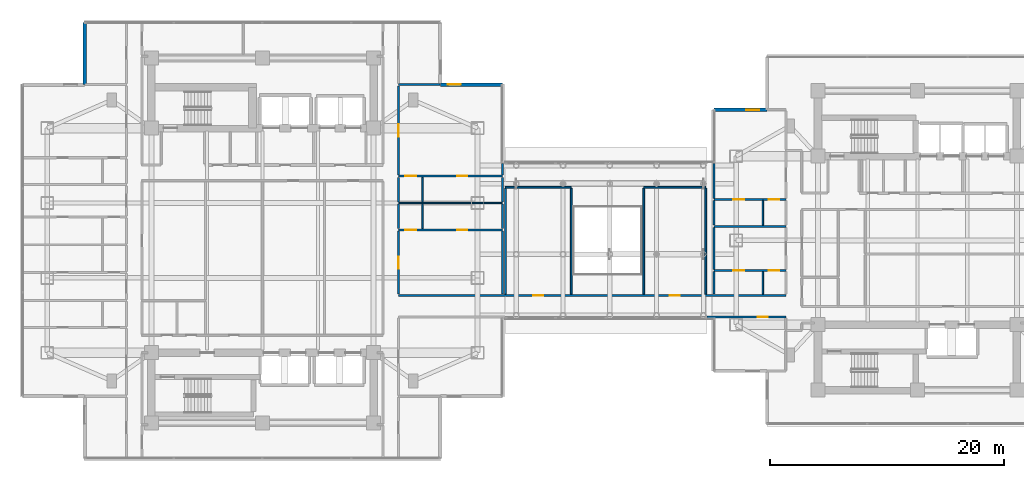
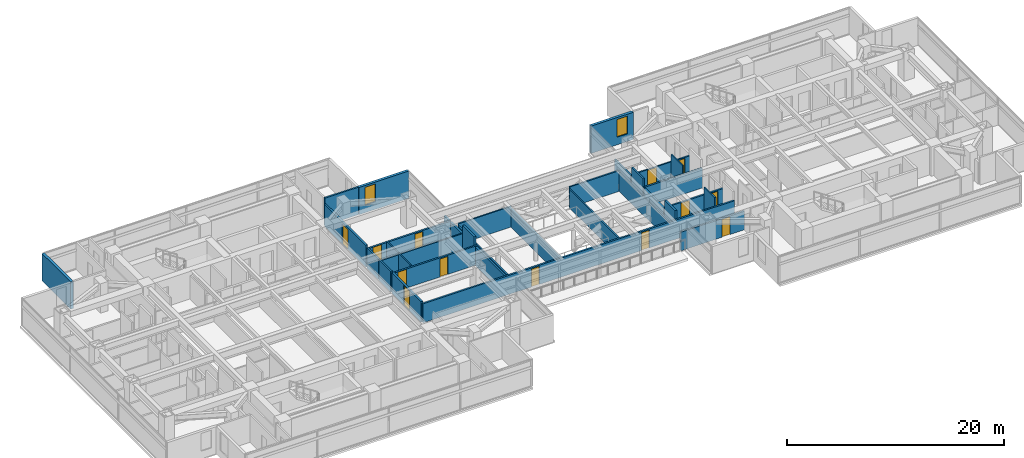
# One storey, part 18 of 28: 34 walls, 13 doors, 2 windows, 15 openings.
"""IFC4 building model written with IfcOpenShell, lengths in metres."""

from ifc_helpers import new_model, si_unit, direction, frame, frame_2d, origin, place, context, subcontext, project, spatial, rectangle, extrude, material, layer, layer_set, type_object, element, fill, save


model = new_model("IFC4")

# Units and contexts
model_context = context("Model", 3, precision=1e-05, world=origin(), true_north=direction((0.0, 1.0)))
body_context = subcontext(model_context, "Body", "Model", "MODEL_VIEW")
ifc_project = project(units=[si_unit("LENGTHUNIT", "METRE"), si_unit("AREAUNIT", "SQUARE_METRE"), si_unit("VOLUMEUNIT", "CUBIC_METRE"), si_unit("PLANEANGLEUNIT", "RADIAN"), si_unit("MASSUNIT", "GRAM", prefix="KILO")], contexts=[model_context])

# Site, building, storey
site_placement = place(None, origin())
site = spatial("IfcSite", under=ifc_project, at=site_placement, CompositionType="ELEMENT")
building_placement = place(site_placement, origin())
building = spatial("IfcBuilding", under=site, at=building_placement, Name="Mirazonda Arch Towers", CompositionType="ELEMENT")
storey_placement = place(building_placement, frame((0.0, 0.0, 91.699951171875)))
storey = spatial("IfcBuildingStorey", under=building, at=storey_placement, Name="L25", CompositionType="ELEMENT", Elevation=91.699951171875)

# Wall
ifc_material_1 = material(Name="Precast Concrete C40/50", Category="concrete")
ifc_layer_1 = layer(ifc_material_1, 0.280029296875, Name="WALL-EXT-WALL-280")
ifc_layer_set_1 = layer_set([ifc_layer_1], Name="Precast Concrete C40/50")
wall_type_1 = type_object("IfcWallType", Name="WALL-EXT-WALL-280", PredefinedType="SOLIDWALL", material=ifc_layer_set_1)
wall_1_placement = place(storey_placement, frame((5.294921875, 46.6279296875, 0.0), z_axis=(0.0, 0.0, 1.0), x_axis=(0.0, -1.0, 0.0)))
element("IfcWall", 1, at=wall_1_placement, inside=storey, type_object=wall_type_1, Name="L25 T1 Corner Notch Return Wall WL-L25-T1-CNW2", PredefinedType="SOLIDWALL", context=body_context, shape_type="SweptSolid", body=[
    extrude(rectangle(XDim=5.304931640625, YDim=0.280029296875, at=frame_2d((2.65234375, 0.0))), origin(), (0.0, 0.0, 1.0), 3.06005859375),
])

# Wall, opening, window
wall_2_placement = place(storey_placement, frame((41.010009765625, 41.322998046875, 0.0), z_axis=(0.0, 0.0, 1.0), x_axis=(-1.0, 0.0, 0.0)))
wall_2 = element("IfcWall", 2, at=wall_2_placement, inside=storey, type_object=wall_type_1, Name="L25 T1 Corner Notch Return Wall WL-L25-T1-CNE2", PredefinedType="SOLIDWALL", context=body_context, shape_type="SweptSolid", body=[
    extrude(rectangle(XDim=5.304931640625, YDim=0.280029296875, at=frame_2d((2.65234375, 0.0))), origin(), (0.0, 0.0, 1.0), 3.06005859375),
])
opening_1_placement = place(wall_2_placement, frame((3.554931640625, 0.0, 0.85009765625)))
opening_1 = element("IfcOpeningElement", 3, at=opening_1_placement, cuts=wall_2, Name="Opening WN-108", PredefinedType="OPENING", context=body_context, shape_type="SweptSolid", body=[
    extrude(rectangle(XDim=1.10009765625, YDim=2.0, at=frame_2d((0.550048828125, 1.0))), frame((0.0, 0.14990234375, 0.0), z_axis=(0.0, -1.0, 0.0), x_axis=(1.0, 0.0, 0.0)), (0.0, 0.0, 1.0), 0.300048828125),
])
ifc_material_2 = material(Name="Insulated Low-E Solar Glass", Category="glass")
window_type = type_object("IfcWindowType", Name="WIN-NOTCH-1100x2000", PartitioningType="SINGLE_PANEL", PredefinedType="WINDOW", material=ifc_material_2)
window_1_placement = place(opening_1_placement, origin())
window_1 = element("IfcWindow", 4, at=window_1_placement, inside=storey, type_object=window_type, Name="L25 Punched Facade Window WN-L25-T1-CNE2", OverallHeight=2.0, OverallWidth=1.10009765625, PartitioningType="SINGLE_PANEL", PredefinedType="WINDOW", context=body_context, shape_type="SweptSolid", body=[
    extrude(rectangle(XDim=1.10009765625, YDim=2.0, at=frame_2d((0.550048828125, 1.0))), frame((0.0, 0.030029296875, 0.0), z_axis=(0.0, -1.0, 0.0), x_axis=(1.0, 0.0, 0.0)), (0.0, 0.0, 1.0), 0.06005859375),
])
fill(opening_1, window_1)

wall_3_placement = place(storey_placement, frame((63.6357421875, 39.16455078125, 0.0), z_axis=(0.0, 0.0, 1.0), x_axis=(-1.0, 0.0, 0.0)))
wall_3 = element("IfcWall", 5, at=wall_3_placement, inside=storey, type_object=wall_type_1, Name="L25 T2 Corner Notch Return Wall WL-L25-T2-CNW1", PredefinedType="SOLIDWALL", context=body_context, shape_type="SweptSolid", body=[
    extrude(rectangle(XDim=4.516357421875, YDim=0.280029296875, at=frame_2d((2.25830078125, 0.0))), origin(), (0.0, 0.0, 1.0), 3.06005859375),
])
opening_2_placement = place(wall_3_placement, frame((0.64990234375, 0.0, 0.85009765625)))
opening_2 = element("IfcOpeningElement", 6, at=opening_2_placement, cuts=wall_3, Name="Opening WN-108", PredefinedType="OPENING", context=body_context, shape_type="SweptSolid", body=[
    extrude(rectangle(XDim=1.10009765625, YDim=2.0, at=frame_2d((0.550048828125, 1.0))), frame((0.0, 0.14990234375, 0.0), z_axis=(0.0, -1.0, 0.0), x_axis=(1.0, 0.0, 0.0)), (0.0, 0.0, 1.0), 0.300048828125),
])
window_2_placement = place(opening_2_placement, origin())
window_2 = element("IfcWindow", 7, at=window_2_placement, inside=storey, type_object=window_type, Name="L25 Punched Facade Window WN-L25-T2-CNW1", OverallHeight=2.0, OverallWidth=1.10009765625, PartitioningType="SINGLE_PANEL", PredefinedType="WINDOW", context=body_context, shape_type="SweptSolid", body=[
    extrude(rectangle(XDim=1.10009765625, YDim=2.0, at=frame_2d((0.550048828125, 1.0))), frame((0.0, 0.030029296875, 0.0), z_axis=(0.0, -1.0, 0.0), x_axis=(1.0, 0.0, 0.0)), (0.0, 0.0, 1.0), 0.06005859375),
])
fill(opening_2, window_2)

# Wall, openings, doors
ifc_material_3 = material(Name="Fire-Rated Gypsum Stud Partition")
ifc_layer_2 = layer(ifc_material_3, 0.14990234375, Name="WALL-PART-CORR-150")
ifc_layer_set_2 = layer_set([ifc_layer_2], Name="Fire-Rated Gypsum Stud Partition")
wall_type_2 = type_object("IfcWallType", Name="WALL-PART-CORR-150", PredefinedType="PARTITIONING", material=ifc_layer_set_2)
wall_4_placement = place(storey_placement, frame((59.1201171875, 31.5, 0.0), z_axis=(0.0, 0.0, 1.0), x_axis=(1.0, 0.0, 0.0)))
wall_4 = element("IfcWall", 8, at=wall_4_placement, inside=storey, type_object=wall_type_2, Name="L25 Interior Partition 040", PredefinedType="PARTITIONING", context=body_context, shape_type="SweptSolid", body=[
    extrude(rectangle(XDim=6.1298828125, YDim=0.14990234375, at=frame_2d((3.06494140625, 0.0))), origin(), (0.0, 0.0, 1.0), 2.216064453125),
])
opening_3_placement = place(wall_4_placement, frame((1.62890625, 0.0, 0.0)))
opening_3 = element("IfcOpeningElement", 9, at=opening_3_placement, cuts=wall_4, Name="Opening DR-104", PredefinedType="OPENING", context=body_context, shape_type="SweptSolid", body=[
    extrude(rectangle(XDim=0.949951171875, YDim=2.14990234375, at=frame_2d((0.47509765625, 1.074951171875))), frame((0.0, 0.0849609375, 0.0), z_axis=(0.0, -1.0, 0.0), x_axis=(1.0, 0.0, 0.0)), (0.0, 0.0, 1.0), 0.169921875),
])
opening_4_placement = place(wall_4_placement, frame((4.678955078125, 0.0, 0.0)))
opening_4 = element("IfcOpeningElement", 10, at=opening_4_placement, cuts=wall_4, Name="Opening DR-120", PredefinedType="OPENING", context=body_context, shape_type="SweptSolid", body=[
    extrude(rectangle(XDim=0.89990234375, YDim=2.10009765625, at=frame_2d((0.449951171875, 1.050048828125))), frame((0.0, 0.0849609375, 0.0), z_axis=(0.0, -1.0, 0.0), x_axis=(1.0, 0.0, 0.0)), (0.0, 0.0, 1.0), 0.169921875),
])
ifc_material_4 = material(Name="Architectural Brushed Steel S355", Category="steel")
door_type_1 = type_object("IfcDoorType", Name="DOOR-ROOM-950", OperationType="NOTDEFINED", PredefinedType="DOOR", material=ifc_material_4)
door_1_placement = place(opening_3_placement, origin())
door_1 = element("IfcDoor", 11, at=door_1_placement, inside=storey, type_object=door_type_1, Name="L25 Guestroom Study 2 Door", OperationType="SINGLE_SWING_LEFT", OverallHeight=2.14990234375, OverallWidth=0.949951171875, PredefinedType="DOOR", context=body_context, shape_type="SweptSolid", body=[
    extrude(rectangle(XDim=0.949951171875, YDim=2.14990234375, at=frame_2d((0.47509765625, 1.074951171875))), frame((0.0, 0.02490234375, 0.0), z_axis=(0.0, -1.0, 0.0), x_axis=(1.0, 0.0, 0.0)), (0.0, 0.0, 1.0), 0.050048828125),
])
fill(opening_3, door_1)
door_type_2 = type_object("IfcDoorType", Name="DOOR-WC-900", OperationType="NOTDEFINED", PredefinedType="DOOR", material=ifc_material_4)
door_2_placement = place(opening_4_placement, origin())
door_2 = element("IfcDoor", 12, at=door_2_placement, inside=storey, type_object=door_type_2, Name="L25 En-Suite Bathroom 2 Door", OperationType="SINGLE_SWING_RIGHT", OverallHeight=2.10009765625, OverallWidth=0.89990234375, PredefinedType="DOOR", context=body_context, shape_type="SweptSolid", body=[
    extrude(rectangle(XDim=0.89990234375, YDim=2.10009765625, at=frame_2d((0.449951171875, 1.050048828125))), frame((0.0, 0.02490234375, 0.0), z_axis=(0.0, -1.0, 0.0), x_axis=(1.0, 0.0, 0.0)), (0.0, 0.0, 1.0), 0.050048828125),
])
fill(opening_4, door_2)

# Walls
wall_5_placement = place(storey_placement, frame((41.280029296875, 32.550048828125, 0.0), z_axis=(0.0, 0.0, 1.0), x_axis=(1.0, 0.0, 0.0)))
element("IfcWall", 13, at=wall_5_placement, inside=storey, type_object=wall_type_2, Name="L25 Interior Partition 043", PredefinedType="PARTITIONING", context=body_context, shape_type="SweptSolid", body=[
    extrude(rectangle(XDim=5.619873046875, YDim=0.14990234375, at=frame_2d((2.81005859375, 0.0))), origin(), (0.0, 0.0, 1.0), 2.316162109375),
])
wall_6_placement = place(storey_placement, frame((53.10009765625, 32.550048828125, 0.0), z_axis=(0.0, 0.0, 1.0), x_axis=(1.0, 0.0, 0.0)))
element("IfcWall", 14, at=wall_6_placement, inside=storey, type_object=wall_type_2, Name="L25 Interior Partition 044", PredefinedType="PARTITIONING", context=body_context, shape_type="SweptSolid", body=[
    extrude(rectangle(XDim=5.2998046875, YDim=0.14990234375, at=frame_2d((2.64990234375, 0.0))), origin(), (0.0, 0.0, 1.0), 2.316162109375),
])
for number, where, z_axis, x_axis, name in (
    (15, (41.280029296875, 23.39990234375, 0.0), (0.0, 0.0, 1.0), (0.0, 1.0, 0.0), "L25 Interior Partition 125"),
    (16, (46.89990234375, 23.39990234375, 0.0), (0.0, 0.0, 1.0), (0.0, 1.0, 0.0), "L25 Interior Partition 126"),
    (17, (53.10009765625, 23.39990234375, 0.0), (0.0, 0.0, 1.0), (0.0, 1.0, 0.0), "L25 Interior Partition 127"),
    (18, (58.39990234375, 23.39990234375, 0.0), (0.0, 0.0, 1.0), (0.0, 1.0, 0.0), "L25 Interior Partition 128"),
):
    element("IfcWall", number, at=place(storey_placement, frame(where, z_axis=z_axis, x_axis=x_axis)), inside=storey, type_object=wall_type_2, Name=name, PredefinedType="PARTITIONING", context=body_context, shape_type="SweptSolid", body=[
        extrude(rectangle(XDim=9.065185546875, YDim=0.14990234375, at=frame_2d((4.53271484375, 0.0))), origin(), (0.0, 0.0, 1.0), 2.0849609375),
    ])

# Wall, opening, door
ifc_material_5 = material(Name="Fire-Rated Gypsum Twin-Stud Assembly")
ifc_layer_3 = layer(ifc_material_5, 0.179931640625, Name="WALL-PART-DEMISE-180")
ifc_layer_set_3 = layer_set([ifc_layer_3], Name="Fire-Rated Gypsum Twin-Stud Assembly")
wall_type_3 = type_object("IfcWallType", Name="WALL-PART-DEMISE-180", PredefinedType="PARTITIONING", material=ifc_layer_set_3)
wall_7_placement = place(storey_placement, frame((58.49951171875, 21.449951171875, 0.0), z_axis=(0.0, 0.0, 1.0), x_axis=(1.0, 0.0, 0.0)))
wall_7 = element("IfcWall", 19, at=wall_7_placement, inside=storey, type_object=wall_type_3, Name="L25 Interior Partition 022", PredefinedType="PARTITIONING", context=body_context, shape_type="SweptSolid", body=[
    extrude(rectangle(XDim=6.75048828125, YDim=0.179931640625, at=frame_2d((3.375244140625, 0.0))), origin(), (0.0, 0.0, 1.0), 2.0849609375),
])
opening_5_placement = place(wall_7_placement, frame((4.35546875, 0.0, 0.0)))
opening_5 = element("IfcOpeningElement", 20, at=opening_5_placement, cuts=wall_7, Name="Opening DR-128", PredefinedType="OPENING", context=body_context, shape_type="SweptSolid", body=[
    extrude(rectangle(XDim=0.85009765625, YDim=2.010009765625, at=frame_2d((0.425048828125, 1.0048828125))), frame((0.0, 0.099853515625, 0.0), z_axis=(0.0, -1.0, 0.0), x_axis=(1.0, 0.0, 0.0)), (0.0, 0.0, 1.0), 0.199951171875),
])
door_type_3 = type_object("IfcDoorType", Name="DOOR-RISER-FD60-850", OperationType="NOTDEFINED", PredefinedType="DOOR", material=ifc_material_4)
door_3_placement = place(opening_5_placement, origin())
door_3 = element("IfcDoor", 21, at=door_3_placement, inside=storey, type_object=door_type_3, Name="L25 L25 South-West Sky-Bridge Club Salon Door", OperationType="SINGLE_SWING_RIGHT", OverallHeight=2.010009765625, OverallWidth=0.85009765625, PredefinedType="DOOR", context=body_context, shape_type="SweptSolid", body=[
    extrude(rectangle(XDim=0.85009765625, YDim=2.010009765625, at=frame_2d((0.425048828125, 1.0048828125))), frame((0.0, 0.02490234375, 0.0), z_axis=(0.0, -1.0, 0.0), x_axis=(1.0, 0.0, 0.0)), (0.0, 0.0, 1.0), 0.050048828125),
])
fill(opening_5, door_3)

# Wall, openings, doors
wall_8_placement = place(storey_placement, frame((32.139892578125, 23.300048828125, 0.0), z_axis=(0.0, 0.0, 1.0), x_axis=(1.0, 0.0, 0.0)))
wall_8 = element("IfcWall", 22, at=wall_8_placement, inside=storey, type_object=wall_type_3, Name="L25 Interior Partition 026", PredefinedType="PARTITIONING", context=body_context, shape_type="SweptSolid", body=[
    extrude(rectangle(XDim=33.110107421875, YDim=0.179931640625, at=frame_2d((16.55517578125, 0.0))), origin(), (0.0, 0.0, 1.0), 2.14501953125),
])
opening_6_placement = place(wall_8_placement, frame((11.52490234375, 0.0, 0.0)))
opening_6 = element("IfcOpeningElement", 23, at=opening_6_placement, cuts=wall_8, Name="Opening DR-128", PredefinedType="OPENING", context=body_context, shape_type="SweptSolid", body=[
    extrude(rectangle(XDim=0.85009765625, YDim=2.010009765625, at=frame_2d((0.425048828125, 1.0048828125))), frame((0.0, 0.099853515625, 0.0), z_axis=(0.0, -1.0, 0.0), x_axis=(1.0, 0.0, 0.0)), (0.0, 0.0, 1.0), 0.199951171875),
])
opening_7_placement = place(wall_8_placement, frame((23.18505859375, 0.0, 0.0)))
opening_7 = element("IfcOpeningElement", 24, at=opening_7_placement, cuts=wall_8, Name="Opening DR-128", PredefinedType="OPENING", context=body_context, shape_type="SweptSolid", body=[
    extrude(rectangle(XDim=0.85009765625, YDim=2.010009765625, at=frame_2d((0.425048828125, 1.0048828125))), frame((0.0, 0.099853515625, 0.0), z_axis=(0.0, -1.0, 0.0), x_axis=(1.0, 0.0, 0.0)), (0.0, 0.0, 1.0), 0.199951171875),
])
door_4_placement = place(opening_6_placement, origin())
door_4 = element("IfcDoor", 25, at=door_4_placement, inside=storey, type_object=door_type_3, Name="L25 L25 Skybridge Co-Working Gallery West Door", OperationType="SINGLE_SWING_LEFT", OverallHeight=2.010009765625, OverallWidth=0.85009765625, PredefinedType="DOOR", context=body_context, shape_type="SweptSolid", body=[
    extrude(rectangle(XDim=0.85009765625, YDim=2.010009765625, at=frame_2d((0.425048828125, 1.0048828125))), frame((0.0, 0.02490234375, 0.0), z_axis=(0.0, -1.0, 0.0), x_axis=(1.0, 0.0, 0.0)), (0.0, 0.0, 1.0), 0.050048828125),
])
fill(opening_6, door_4)
door_5_placement = place(opening_7_placement, origin())
door_5 = element("IfcDoor", 26, at=door_5_placement, inside=storey, type_object=door_type_3, Name="L25 L25 Skybridge Cultural Reading Salon East Door", OperationType="SINGLE_SWING_RIGHT", OverallHeight=2.010009765625, OverallWidth=0.85009765625, PredefinedType="DOOR", context=body_context, shape_type="SweptSolid", body=[
    extrude(rectangle(XDim=0.85009765625, YDim=2.010009765625, at=frame_2d((0.425048828125, 1.0048828125))), frame((0.0, 0.02490234375, 0.0), z_axis=(0.0, -1.0, 0.0), x_axis=(1.0, 0.0, 0.0)), (0.0, 0.0, 1.0), 0.050048828125),
])
fill(opening_7, door_5)

wall_9_placement = place(storey_placement, frame((59.1201171875, 25.424072265625, 0.0), z_axis=(0.0, 0.0, 1.0), x_axis=(1.0, 0.0, 0.0)))
wall_9 = element("IfcWall", 27, at=wall_9_placement, inside=storey, type_object=wall_type_3, Name="L25 Interior Partition 030", PredefinedType="PARTITIONING", context=body_context, shape_type="SweptSolid", body=[
    extrude(rectangle(XDim=6.1298828125, YDim=0.179931640625, at=frame_2d((3.06494140625, 0.0))), origin(), (0.0, 0.0, 1.0), 2.216064453125),
])
opening_8_placement = place(wall_9_placement, frame((1.62890625, 0.0, 0.0)))
opening_8 = element("IfcOpeningElement", 28, at=opening_8_placement, cuts=wall_9, Name="Opening DR-104", PredefinedType="OPENING", context=body_context, shape_type="SweptSolid", body=[
    extrude(rectangle(XDim=0.949951171875, YDim=2.14990234375, at=frame_2d((0.47509765625, 1.074951171875))), frame((0.0, 0.099853515625, 0.0), z_axis=(0.0, -1.0, 0.0), x_axis=(1.0, 0.0, 0.0)), (0.0, 0.0, 1.0), 0.199951171875),
])
opening_9_placement = place(wall_9_placement, frame((4.678955078125, 0.0, 0.0)))
opening_9 = element("IfcOpeningElement", 29, at=opening_9_placement, cuts=wall_9, Name="Opening DR-120", PredefinedType="OPENING", context=body_context, shape_type="SweptSolid", body=[
    extrude(rectangle(XDim=0.89990234375, YDim=2.10009765625, at=frame_2d((0.449951171875, 1.050048828125))), frame((0.0, 0.099853515625, 0.0), z_axis=(0.0, -1.0, 0.0), x_axis=(1.0, 0.0, 0.0)), (0.0, 0.0, 1.0), 0.199951171875),
])
door_6_placement = place(opening_8_placement, origin())
door_6 = element("IfcDoor", 30, at=door_6_placement, inside=storey, type_object=door_type_1, Name="L25 Guestroom Study 1 Door", OperationType="SINGLE_SWING_RIGHT", OverallHeight=2.14990234375, OverallWidth=0.949951171875, PredefinedType="DOOR", context=body_context, shape_type="SweptSolid", body=[
    extrude(rectangle(XDim=0.949951171875, YDim=2.14990234375, at=frame_2d((0.47509765625, 1.074951171875))), frame((0.0, 0.02490234375, 0.0), z_axis=(0.0, -1.0, 0.0), x_axis=(1.0, 0.0, 0.0)), (0.0, 0.0, 1.0), 0.050048828125),
])
fill(opening_8, door_6)
door_7_placement = place(opening_9_placement, origin())
door_7 = element("IfcDoor", 31, at=door_7_placement, inside=storey, type_object=door_type_2, Name="L25 En-Suite Bathroom 1 Door", OperationType="SINGLE_SWING_LEFT", OverallHeight=2.10009765625, OverallWidth=0.89990234375, PredefinedType="DOOR", context=body_context, shape_type="SweptSolid", body=[
    extrude(rectangle(XDim=0.89990234375, YDim=2.10009765625, at=frame_2d((0.449951171875, 1.050048828125))), frame((0.0, 0.02490234375, 0.0), z_axis=(0.0, -1.0, 0.0), x_axis=(1.0, 0.0, 0.0)), (0.0, 0.0, 1.0), 0.050048828125),
])
fill(opening_9, door_7)

wall_10_placement = place(storey_placement, frame((32.139892578125, 28.89990234375, 0.0), z_axis=(0.0, 0.0, 1.0), x_axis=(1.0, 0.0, 0.0)))
wall_10 = element("IfcWall", 32, at=wall_10_placement, inside=storey, type_object=wall_type_3, Name="L25 Interior Partition 034", PredefinedType="PARTITIONING", context=body_context, shape_type="SweptSolid", body=[
    extrude(rectangle(XDim=8.8701171875, YDim=0.179931640625, at=frame_2d((4.43505859375, 0.0))), origin(), (0.0, 0.0, 1.0), 2.14501953125),
])
opening_10_placement = place(wall_10_placement, frame((5.010009765625, 0.0, 0.0)))
opening_10 = element("IfcOpeningElement", 33, at=opening_10_placement, cuts=wall_10, Name="Opening DR-128", PredefinedType="OPENING", context=body_context, shape_type="SweptSolid", body=[
    extrude(rectangle(XDim=0.85009765625, YDim=2.010009765625, at=frame_2d((0.425048828125, 1.0048828125))), frame((0.0, 0.099853515625, 0.0), z_axis=(0.0, -1.0, 0.0), x_axis=(1.0, 0.0, 0.0)), (0.0, 0.0, 1.0), 0.199951171875),
])
opening_11_placement = place(wall_10_placement, frame((0.590087890625, 0.0, 0.0)))
opening_11 = element("IfcOpeningElement", 34, at=opening_11_placement, cuts=wall_10, Name="Opening DR-120", PredefinedType="OPENING", context=body_context, shape_type="SweptSolid", body=[
    extrude(rectangle(XDim=0.89990234375, YDim=2.10009765625, at=frame_2d((0.449951171875, 1.050048828125))), frame((0.0, 0.099853515625, 0.0), z_axis=(0.0, -1.0, 0.0), x_axis=(1.0, 0.0, 0.0)), (0.0, 0.0, 1.0), 0.199951171875),
])
door_8_placement = place(opening_10_placement, origin())
door_8 = element("IfcDoor", 35, at=door_8_placement, inside=storey, type_object=door_type_3, Name="L25 Suite Bedroom 1 Door", OperationType="SINGLE_SWING_LEFT", OverallHeight=2.010009765625, OverallWidth=0.85009765625, PredefinedType="DOOR", context=body_context, shape_type="SweptSolid", body=[
    extrude(rectangle(XDim=0.85009765625, YDim=2.010009765625, at=frame_2d((0.425048828125, 1.0048828125))), frame((0.0, 0.02490234375, 0.0), z_axis=(0.0, -1.0, 0.0), x_axis=(1.0, 0.0, 0.0)), (0.0, 0.0, 1.0), 0.050048828125),
])
fill(opening_10, door_8)
door_9_placement = place(opening_11_placement, origin())
door_9 = element("IfcDoor", 36, at=door_9_placement, inside=storey, type_object=door_type_2, Name="L25 Suite En-Suite Bathroom 1 Door", OperationType="SINGLE_SWING_RIGHT", OverallHeight=2.10009765625, OverallWidth=0.89990234375, PredefinedType="DOOR", context=body_context, shape_type="SweptSolid", body=[
    extrude(rectangle(XDim=0.89990234375, YDim=2.10009765625, at=frame_2d((0.449951171875, 1.050048828125))), frame((0.0, 0.02490234375, 0.0), z_axis=(0.0, -1.0, 0.0), x_axis=(1.0, 0.0, 0.0)), (0.0, 0.0, 1.0), 0.050048828125),
])
fill(opening_11, door_9)

# Wall
wall_11_placement = place(storey_placement, frame((59.1201171875, 29.199951171875, 0.0), z_axis=(0.0, 0.0, 1.0), x_axis=(1.0, 0.0, 0.0)))
element("IfcWall", 37, at=wall_11_placement, inside=storey, type_object=wall_type_3, Name="L25 Interior Partition 035", PredefinedType="PARTITIONING", context=body_context, shape_type="SweptSolid", body=[
    extrude(rectangle(XDim=6.1298828125, YDim=0.179931640625, at=frame_2d((3.06494140625, 0.0))), origin(), (0.0, 0.0, 1.0), 2.216064453125),
])

# Wall, openings, doors
wall_12_placement = place(storey_placement, frame((32.139892578125, 33.5, 0.0), z_axis=(0.0, 0.0, 1.0), x_axis=(1.0, 0.0, 0.0)))
wall_12 = element("IfcWall", 38, at=wall_12_placement, inside=storey, type_object=wall_type_3, Name="L25 Interior Partition 047", PredefinedType="PARTITIONING", context=body_context, shape_type="SweptSolid", body=[
    extrude(rectangle(XDim=8.8701171875, YDim=0.179931640625, at=frame_2d((4.43505859375, 0.0))), origin(), (0.0, 0.0, 1.0), 2.14501953125),
])
opening_12_placement = place(wall_12_placement, frame((5.010009765625, 0.0, 0.0)))
opening_12 = element("IfcOpeningElement", 39, at=opening_12_placement, cuts=wall_12, Name="Opening DR-128", PredefinedType="OPENING", context=body_context, shape_type="SweptSolid", body=[
    extrude(rectangle(XDim=0.85009765625, YDim=2.010009765625, at=frame_2d((0.425048828125, 1.0048828125))), frame((0.0, 0.099853515625, 0.0), z_axis=(0.0, -1.0, 0.0), x_axis=(1.0, 0.0, 0.0)), (0.0, 0.0, 1.0), 0.199951171875),
])
opening_13_placement = place(wall_12_placement, frame((0.590087890625, 0.0, 0.0)))
opening_13 = element("IfcOpeningElement", 40, at=opening_13_placement, cuts=wall_12, Name="Opening DR-120", PredefinedType="OPENING", context=body_context, shape_type="SweptSolid", body=[
    extrude(rectangle(XDim=0.89990234375, YDim=2.10009765625, at=frame_2d((0.449951171875, 1.050048828125))), frame((0.0, 0.099853515625, 0.0), z_axis=(0.0, -1.0, 0.0), x_axis=(1.0, 0.0, 0.0)), (0.0, 0.0, 1.0), 0.199951171875),
])
door_10_placement = place(opening_12_placement, origin())
door_10 = element("IfcDoor", 41, at=door_10_placement, inside=storey, type_object=door_type_3, Name="L25 Suite Bedroom 2 Door", OperationType="SINGLE_SWING_RIGHT", OverallHeight=2.010009765625, OverallWidth=0.85009765625, PredefinedType="DOOR", context=body_context, shape_type="SweptSolid", body=[
    extrude(rectangle(XDim=0.85009765625, YDim=2.010009765625, at=frame_2d((0.425048828125, 1.0048828125))), frame((0.0, 0.02490234375, 0.0), z_axis=(0.0, -1.0, 0.0), x_axis=(1.0, 0.0, 0.0)), (0.0, 0.0, 1.0), 0.050048828125),
])
fill(opening_12, door_10)
door_11_placement = place(opening_13_placement, origin())
door_11 = element("IfcDoor", 42, at=door_11_placement, inside=storey, type_object=door_type_2, Name="L25 Suite En-Suite Bathroom 2 Door", OperationType="SINGLE_SWING_LEFT", OverallHeight=2.10009765625, OverallWidth=0.89990234375, PredefinedType="DOOR", context=body_context, shape_type="SweptSolid", body=[
    extrude(rectangle(XDim=0.89990234375, YDim=2.10009765625, at=frame_2d((0.449951171875, 1.050048828125))), frame((0.0, 0.02490234375, 0.0), z_axis=(0.0, -1.0, 0.0), x_axis=(1.0, 0.0, 0.0)), (0.0, 0.0, 1.0), 0.050048828125),
])
fill(opening_13, door_11)

# Wall
wall_13_placement = place(storey_placement, frame((32.139892578125, 41.322998046875, 0.0), z_axis=(0.0, 0.0, 1.0), x_axis=(1.0, 0.0, 0.0)))
element("IfcWall", 43, at=wall_13_placement, inside=storey, type_object=wall_type_3, Name="L25 Interior Partition 062", PredefinedType="PARTITIONING", context=body_context, shape_type="SweptSolid", body=[
    extrude(rectangle(XDim=3.545166015625, YDim=0.179931640625, at=frame_2d((1.7724609375, 0.0))), origin(), (0.0, 0.0, 1.0), 3.080078125),
])

# Wall, opening, door
wall_14_placement = place(storey_placement, frame((32.139892578125, 23.39990234375, 0.0), z_axis=(0.0, 0.0, 1.0), x_axis=(0.0, 1.0, 0.0)))
wall_14 = element("IfcWall", 44, at=wall_14_placement, inside=storey, type_object=wall_type_3, Name="L25 Interior Partition 114", PredefinedType="PARTITIONING", context=body_context, shape_type="SweptSolid", body=[
    extrude(rectangle(XDim=5.400146484375, YDim=0.179931640625, at=frame_2d((2.7001953125, 0.0))), origin(), (0.0, 0.0, 1.0), 2.299072265625),
])
opening_14_placement = place(wall_14_placement, frame((2.175048828125, 0.0, 0.0)))
opening_14 = element("IfcOpeningElement", 45, at=opening_14_placement, cuts=wall_14, Name="Opening DR-121", PredefinedType="OPENING", context=body_context, shape_type="SweptSolid", body=[
    extrude(rectangle(XDim=1.050048828125, YDim=2.199951171875, at=frame_2d((0.52490234375, 1.10009765625))), frame((0.0, 0.099853515625, 0.0), z_axis=(0.0, -1.0, 0.0), x_axis=(1.0, 0.0, 0.0)), (0.0, 0.0, 1.0), 0.199951171875),
])
door_type_4 = type_object("IfcDoorType", Name="DOOR-SUITE-FD60-1050", OperationType="NOTDEFINED", PredefinedType="DOOR", material=ifc_material_4)
door_12_placement = place(opening_14_placement, origin())
door_12 = element("IfcDoor", 46, at=door_12_placement, inside=storey, type_object=door_type_4, Name="L25 Panoramic Suite Salon 1 Door", OperationType="SINGLE_SWING_RIGHT", OverallHeight=2.199951171875, OverallWidth=1.050048828125, PredefinedType="DOOR", context=body_context, shape_type="SweptSolid", body=[
    extrude(rectangle(XDim=1.050048828125, YDim=2.199951171875, at=frame_2d((0.52490234375, 1.10009765625))), frame((0.0, 0.02490234375, 0.0), z_axis=(0.0, -1.0, 0.0), x_axis=(1.0, 0.0, 0.0)), (0.0, 0.0, 1.0), 0.050048828125),
])
fill(opening_14, door_12)

# Walls
for number, where, z_axis, x_axis, name in (
    (47, (32.139892578125, 29.0, 0.0), (0.0, 0.0, 1.0), (0.0, 1.0, 0.0), "L25 Interior Partition 115"),
    (48, (32.139892578125, 31.2724609375, 0.0), (0.0, 0.0, 1.0), (0.0, 1.0, 0.0), "L25 Interior Partition 116"),
):
    element("IfcWall", number, at=place(storey_placement, frame(where, z_axis=z_axis, x_axis=x_axis)), inside=storey, type_object=wall_type_3, Name=name, PredefinedType="PARTITIONING", context=body_context, shape_type="SweptSolid", body=[
        extrude(rectangle(XDim=2.12744140625, YDim=0.179931640625, at=frame_2d((1.063720703125, 0.0))), origin(), (0.0, 0.0, 1.0), 2.299072265625),
    ])

# Wall, opening, door
wall_15_placement = place(storey_placement, frame((32.139892578125, 33.60009765625, 0.0), z_axis=(0.0, 0.0, 1.0), x_axis=(0.0, 1.0, 0.0)))
wall_15 = element("IfcWall", 49, at=wall_15_placement, inside=storey, type_object=wall_type_3, Name="L25 Interior Partition 117", PredefinedType="PARTITIONING", context=body_context, shape_type="SweptSolid", body=[
    extrude(rectangle(XDim=7.622802734375, YDim=0.179931640625, at=frame_2d((3.8115234375, 0.0))), origin(), (0.0, 0.0, 1.0), 2.4560546875),
])
opening_15_placement = place(wall_15_placement, frame((3.28662109375, 0.0, 0.0)))
opening_15 = element("IfcOpeningElement", 50, at=opening_15_placement, cuts=wall_15, Name="Opening DR-121", PredefinedType="OPENING", context=body_context, shape_type="SweptSolid", body=[
    extrude(rectangle(XDim=1.050048828125, YDim=2.199951171875, at=frame_2d((0.52490234375, 1.10009765625))), frame((0.0, 0.099853515625, 0.0), z_axis=(0.0, -1.0, 0.0), x_axis=(1.0, 0.0, 0.0)), (0.0, 0.0, 1.0), 0.199951171875),
])
door_13_placement = place(opening_15_placement, origin())
door_13 = element("IfcDoor", 51, at=door_13_placement, inside=storey, type_object=door_type_4, Name="L25 Deluxe Suite Living Room 2 Door", OperationType="SINGLE_SWING_LEFT", OverallHeight=2.199951171875, OverallWidth=1.050048828125, PredefinedType="DOOR", context=body_context, shape_type="SweptSolid", body=[
    extrude(rectangle(XDim=1.050048828125, YDim=2.199951171875, at=frame_2d((0.52490234375, 1.10009765625))), frame((0.0, 0.02490234375, 0.0), z_axis=(0.0, -1.0, 0.0), x_axis=(1.0, 0.0, 0.0)), (0.0, 0.0, 1.0), 0.050048828125),
])
fill(opening_15, door_13)

# Walls
wall_16_placement = place(storey_placement, frame((41.010009765625, 23.39990234375, 0.0), z_axis=(0.0, 0.0, 1.0), x_axis=(0.0, 1.0, 0.0)))
element("IfcWall", 52, at=wall_16_placement, inside=storey, type_object=wall_type_3, Name="L25 Interior Partition 121", PredefinedType="PARTITIONING", context=body_context, shape_type="SweptSolid", body=[
    extrude(rectangle(XDim=5.400146484375, YDim=0.179931640625, at=frame_2d((2.7001953125, 0.0))), origin(), (0.0, 0.0, 1.0), 2.0849609375),
])
wall_17_placement = place(storey_placement, frame((41.010009765625, 29.0, 0.0), z_axis=(0.0, 0.0, 1.0), x_axis=(0.0, 1.0, 0.0)))
element("IfcWall", 53, at=wall_17_placement, inside=storey, type_object=wall_type_3, Name="L25 Interior Partition 122", PredefinedType="PARTITIONING", context=body_context, shape_type="SweptSolid", body=[
    extrude(rectangle(XDim=2.12744140625, YDim=0.179931640625, at=frame_2d((1.063720703125, 0.0))), origin(), (0.0, 0.0, 1.0), 3.080078125),
])
wall_18_placement = place(storey_placement, frame((41.010009765625, 31.2724609375, 0.0), z_axis=(0.0, 0.0, 1.0), x_axis=(0.0, 1.0, 0.0)))
element("IfcWall", 54, at=wall_18_placement, inside=storey, type_object=wall_type_3, Name="L25 Interior Partition 123", PredefinedType="PARTITIONING", context=body_context, shape_type="SweptSolid", body=[
    extrude(rectangle(XDim=2.12744140625, YDim=0.179931640625, at=frame_2d((1.063720703125, 0.0))), origin(), (0.0, 0.0, 1.0), 2.0849609375),
])
wall_19_placement = place(storey_placement, frame((41.010009765625, 33.60009765625, 0.0), z_axis=(0.0, 0.0, 1.0), x_axis=(0.0, 1.0, 0.0)))
element("IfcWall", 55, at=wall_19_placement, inside=storey, type_object=wall_type_3, Name="L25 Interior Partition 124", PredefinedType="PARTITIONING", context=body_context, shape_type="SweptSolid", body=[
    extrude(rectangle(XDim=0.989990234375, YDim=0.179931640625, at=frame_2d((0.4951171875, 0.0))), origin(), (0.0, 0.0, 1.0), 2.0849609375),
])
wall_20_placement = place(storey_placement, frame((59.1201171875, 23.39990234375, 0.0), z_axis=(0.0, 0.0, 1.0), x_axis=(0.0, 1.0, 0.0)))
element("IfcWall", 56, at=wall_20_placement, inside=storey, type_object=wall_type_3, Name="L25 Interior Partition 129", PredefinedType="PARTITIONING", context=body_context, shape_type="SweptSolid", body=[
    extrude(rectangle(XDim=1.924072265625, YDim=0.179931640625, at=frame_2d((0.9619140625, 0.0))), origin(), (0.0, 0.0, 1.0), 3.080078125),
])
wall_21_placement = place(storey_placement, frame((59.1201171875, 25.52392578125, 0.0), z_axis=(0.0, 0.0, 1.0), x_axis=(0.0, 1.0, 0.0)))
element("IfcWall", 57, at=wall_21_placement, inside=storey, type_object=wall_type_3, Name="L25 Interior Partition 130", PredefinedType="PARTITIONING", context=body_context, shape_type="SweptSolid", body=[
    extrude(rectangle(XDim=3.576171875, YDim=0.179931640625, at=frame_2d((1.7880859375, 0.0))), origin(), (0.0, 0.0, 1.0), 2.0849609375),
])
wall_22_placement = place(storey_placement, frame((59.1201171875, 29.300048828125, 0.0), z_axis=(0.0, 0.0, 1.0), x_axis=(0.0, 1.0, 0.0)))
element("IfcWall", 58, at=wall_22_placement, inside=storey, type_object=wall_type_3, Name="L25 Interior Partition 131", PredefinedType="PARTITIONING", context=body_context, shape_type="SweptSolid", body=[
    extrude(rectangle(XDim=2.114990234375, YDim=0.179931640625, at=frame_2d((1.0576171875, 0.0))), origin(), (0.0, 0.0, 1.0), 3.080078125),
])
wall_23_placement = place(storey_placement, frame((59.1201171875, 31.5849609375, 0.0), z_axis=(0.0, 0.0, 1.0), x_axis=(0.0, 1.0, 0.0)))
element("IfcWall", 59, at=wall_23_placement, inside=storey, type_object=wall_type_3, Name="L25 Interior Partition 132", PredefinedType="PARTITIONING", context=body_context, shape_type="SweptSolid", body=[
    extrude(rectangle(XDim=3.005126953125, YDim=0.179931640625, at=frame_2d((1.50244140625, 0.0))), origin(), (0.0, 0.0, 1.0), 2.0849609375),
])
ifc_material_6 = material(Name="Acoustic Fire-Rated Gypsum Partition")
ifc_layer_4 = layer(ifc_material_6, 0.125, Name="WALL-PART-UNIT-125")
ifc_layer_set_4 = layer_set([ifc_layer_4], Name="Acoustic Fire-Rated Gypsum Partition")
wall_type_4 = type_object("IfcWallType", Name="WALL-PART-UNIT-125", PredefinedType="PARTITIONING", material=ifc_layer_set_4)
wall_24_placement = place(storey_placement, frame((32.139892578125, 31.199951171875, 0.0), z_axis=(0.0, 0.0, 1.0), x_axis=(1.0, 0.0, 0.0)))
element("IfcWall", 60, at=wall_24_placement, inside=storey, type_object=wall_type_4, Name="L25 Interior Partition 039", PredefinedType="PARTITIONING", context=body_context, shape_type="SweptSolid", body=[
    extrude(rectangle(XDim=8.8701171875, YDim=0.125, at=frame_2d((4.43505859375, 0.0))), origin(), (0.0, 0.0, 1.0), 2.14501953125),
])
for number, where, z_axis, x_axis, name in (
    (61, (34.179931640625, 29.0, 0.0), (0.0, 0.0, 1.0), (0.0, 1.0, 0.0), "L25 Interior Partition 119"),
    (62, (34.179931640625, 31.2724609375, 0.0), (0.0, 0.0, 1.0), (0.0, 1.0, 0.0), "L25 Interior Partition 120"),
):
    element("IfcWall", number, at=place(storey_placement, frame(where, z_axis=z_axis, x_axis=x_axis)), inside=storey, type_object=wall_type_4, Name=name, PredefinedType="PARTITIONING", context=body_context, shape_type="SweptSolid", body=[
        extrude(rectangle(XDim=2.12744140625, YDim=0.125, at=frame_2d((1.063720703125, 0.0))), origin(), (0.0, 0.0, 1.0), 2.299072265625),
    ])
wall_25_placement = place(storey_placement, frame((63.2880859375, 23.39990234375, 0.0), z_axis=(0.0, 0.0, 1.0), x_axis=(0.0, 1.0, 0.0)))
element("IfcWall", 63, at=wall_25_placement, inside=storey, type_object=wall_type_4, Name="L25 Interior Partition 133", PredefinedType="PARTITIONING", context=body_context, shape_type="SweptSolid", body=[
    extrude(rectangle(XDim=1.924072265625, YDim=0.125, at=frame_2d((0.9619140625, 0.0))), origin(), (0.0, 0.0, 1.0), 3.080078125),
])
wall_26_placement = place(storey_placement, frame((63.2880859375, 29.300048828125, 0.0), z_axis=(0.0, 0.0, 1.0), x_axis=(0.0, 1.0, 0.0)))
element("IfcWall", 64, at=wall_26_placement, inside=storey, type_object=wall_type_4, Name="L25 Interior Partition 134", PredefinedType="PARTITIONING", context=body_context, shape_type="SweptSolid", body=[
    extrude(rectangle(XDim=2.114990234375, YDim=0.125, at=frame_2d((1.0576171875, 0.0))), origin(), (0.0, 0.0, 1.0), 3.080078125),
])

save(model, "model.ifc")
